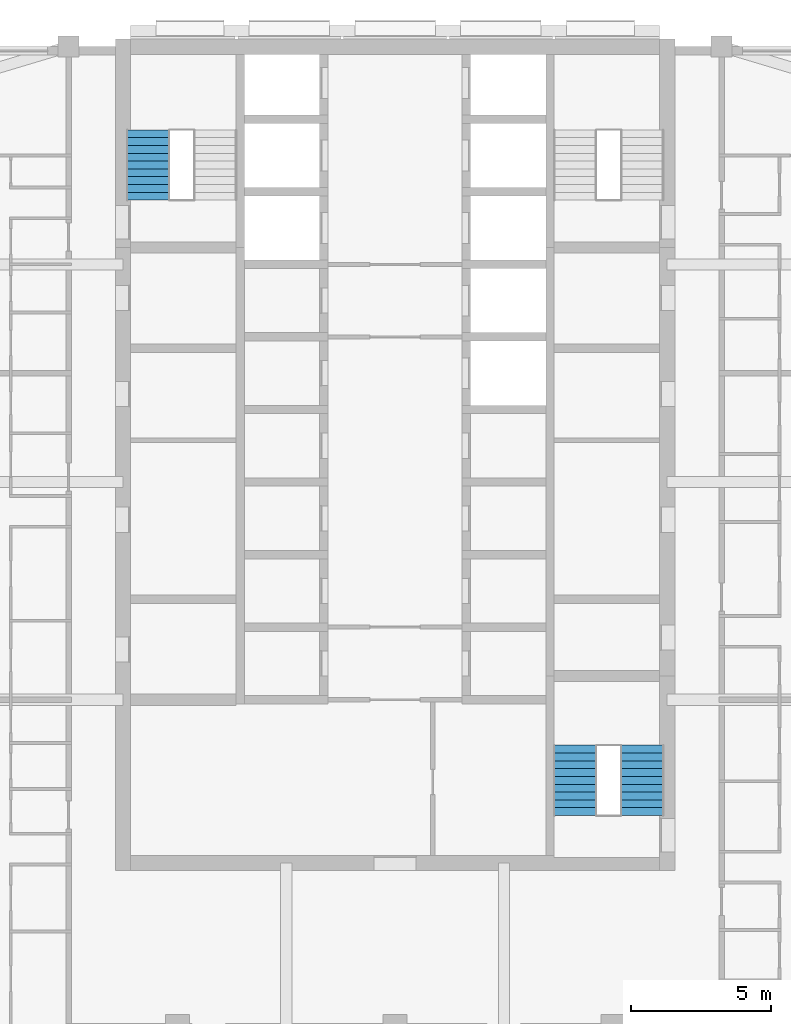
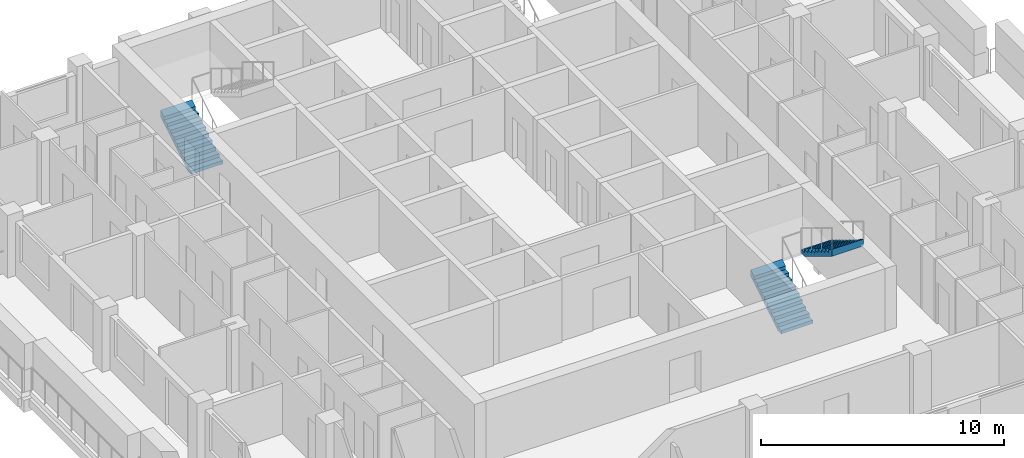
# One storey, part 10 of 13: 3 stair flights, 2 elements without a shape of their own.
"""IFC4 building model written with IfcOpenShell, lengths in metres."""

from ifc_helpers import new_model, si_unit, direction, frame, origin, place, context, subcontext, project, spatial, triangles, material, type_object, element, aggregate, save


model = new_model("IFC4")

# Units and contexts
model_context = context("Model", 3, precision=1e-05, world=origin(), true_north=direction((0.0, 1.0)))
body_context = subcontext(model_context, "Body", "Model", "MODEL_VIEW")
ifc_project = project(units=[si_unit("LENGTHUNIT", "METRE"), si_unit("AREAUNIT", "SQUARE_METRE"), si_unit("VOLUMEUNIT", "CUBIC_METRE"), si_unit("PLANEANGLEUNIT", "RADIAN"), si_unit("MASSUNIT", "GRAM", prefix="KILO")], contexts=[model_context])

# Site, building, storey
site_placement = place(None, origin())
site = spatial("IfcSite", under=ifc_project, at=site_placement, CompositionType="ELEMENT")
building_placement = place(site_placement, origin())
building = spatial("IfcBuilding", under=site, at=building_placement, Name="Ludao Terraces", CompositionType="ELEMENT")
storey_placement = place(building_placement, frame((0.0, 0.0, 165.60009765625)))
storey = spatial("IfcBuildingStorey", under=building, at=storey_placement, Name="L45", CompositionType="ELEMENT", Elevation=165.60009765625)

# Stair, stair flight
ifc_material = material(Name="Concrete C40", Category="concrete")
stair_type = type_object("IfcStairType", Name="INT Stair", PredefinedType="HALF_TURN_STAIR", material=ifc_material)
stair_1_placement = place(storey_placement, origin())
stair_1 = element("IfcStair", 1, at=stair_1_placement, inside=storey, type_object=stair_type, Name="EXIT STAIR 1", PredefinedType="HALF_TURN_STAIR")
stair_flight_type = type_object("IfcStairFlightType", Name="INT Stair flight", PredefinedType="STRAIGHT", material=ifc_material)
stair_flight_1_placement = place(storey_placement, frame((76.14990234375, 79.0, 0.0), z_axis=(0.0, 0.0, 1.0), x_axis=(0.0, 1.0, 0.0)))
stair_flight_1 = element("IfcStairFlight", 2, at=stair_flight_1_placement, type_object=stair_flight_type, Name="ST1 flight 1", NumberOfRisers=10, NumberOfTreads=9, PredefinedType="STRAIGHT", RiserHeight=0.17, TreadLength=0.28, context=body_context, shape_type="Tessellation", body=[
    triangles([(0.0, -0.75, 0.0), (0.0, -0.5, 0.0), (0.0, -0.25, 0.0), (0.0, 0.0, 0.0), (0.0, 0.25, 0.0), (0.0, 0.5, 0.0), (0.0, 0.75, 0.0), (0.0, -0.75, 0.169921875), (0.0, -0.5, 0.169921875), (0.0, -0.25, 0.169921875), (0.0, 0.0, 0.169921875), (0.0, 0.25, 0.169921875), (0.0, 0.5, 0.169921875), (0.0, 0.75, 0.169921875), (0.280029296875, -0.75, 0.169921875), (0.280029296875, -0.5, 0.169921875), (0.280029296875, -0.25, 0.169921875), (0.280029296875, 0.0, 0.169921875), (0.280029296875, 0.25, 0.169921875), (0.280029296875, 0.5, 0.169921875), (0.280029296875, 0.75, 0.169921875), (0.280029296875, -0.75, 0.340087890625), (0.280029296875, -0.5, 0.340087890625), (0.280029296875, -0.25, 0.340087890625), (0.280029296875, 0.0, 0.340087890625), (0.280029296875, 0.25, 0.340087890625), (0.280029296875, 0.5, 0.340087890625), (0.280029296875, 0.75, 0.340087890625), (0.56005859375, -0.75, 0.340087890625), (0.56005859375, -0.5, 0.340087890625), (0.56005859375, -0.25, 0.340087890625), (0.56005859375, 0.0, 0.340087890625), (0.56005859375, 0.25, 0.340087890625), (0.56005859375, 0.5, 0.340087890625), (0.56005859375, 0.75, 0.340087890625), (0.56005859375, -0.75, 0.510009765625), (0.56005859375, -0.5, 0.510009765625), (0.56005859375, -0.25, 0.510009765625), (0.56005859375, 0.0, 0.510009765625), (0.56005859375, 0.25, 0.510009765625), (0.56005859375, 0.5, 0.510009765625), (0.56005859375, 0.75, 0.510009765625), (0.840087890625, -0.75, 0.510009765625), (0.840087890625, -0.5, 0.510009765625), (0.840087890625, -0.25, 0.510009765625), (0.840087890625, 0.0, 0.510009765625), (0.840087890625, 0.25, 0.510009765625), (0.840087890625, 0.5, 0.510009765625), (0.840087890625, 0.75, 0.510009765625), (0.840087890625, -0.75, 0.679931640625), (0.840087890625, -0.5, 0.679931640625), (0.840087890625, -0.25, 0.679931640625), (0.840087890625, 0.0, 0.679931640625), (0.840087890625, 0.25, 0.679931640625), (0.840087890625, 0.5, 0.679931640625), (0.840087890625, 0.75, 0.679931640625), (1.1201171875, -0.75, 0.679931640625), (1.1201171875, -0.5, 0.679931640625), (1.1201171875, -0.25, 0.679931640625), (1.1201171875, 0.0, 0.679931640625), (1.1201171875, 0.25, 0.679931640625), (1.1201171875, 0.5, 0.679931640625), (1.1201171875, 0.75, 0.679931640625), (1.1201171875, -0.75, 0.85009765625), (1.1201171875, -0.5, 0.85009765625), (1.1201171875, -0.25, 0.85009765625), (1.1201171875, 0.0, 0.85009765625), (1.1201171875, 0.25, 0.85009765625), (1.1201171875, 0.5, 0.85009765625), (1.1201171875, 0.75, 0.85009765625), (1.39990234375, -0.75, 0.85009765625), (1.39990234375, -0.5, 0.85009765625), (1.39990234375, -0.25, 0.85009765625), (1.39990234375, 0.0, 0.85009765625), (1.39990234375, 0.25, 0.85009765625), (1.39990234375, 0.5, 0.85009765625), (1.39990234375, 0.75, 0.85009765625), (1.39990234375, -0.75, 1.02001953125), (1.39990234375, -0.5, 1.02001953125), (1.39990234375, -0.25, 1.02001953125), (1.39990234375, 0.0, 1.02001953125), (1.39990234375, 0.25, 1.02001953125), (1.39990234375, 0.5, 1.02001953125), (1.39990234375, 0.75, 1.02001953125), (1.679931640625, -0.75, 1.02001953125), (1.679931640625, -0.5, 1.02001953125), (1.679931640625, -0.25, 1.02001953125), (1.679931640625, 0.0, 1.02001953125), (1.679931640625, 0.25, 1.02001953125), (1.679931640625, 0.5, 1.02001953125), (1.679931640625, 0.75, 1.02001953125), (1.679931640625, -0.75, 1.18994140625), (1.679931640625, -0.5, 1.18994140625), (1.679931640625, -0.25, 1.18994140625), (1.679931640625, 0.0, 1.18994140625), (1.679931640625, 0.25, 1.18994140625), (1.679931640625, 0.5, 1.18994140625), (1.679931640625, 0.75, 1.18994140625), (1.9599609375, -0.75, 1.18994140625), (1.9599609375, -0.5, 1.18994140625), (1.9599609375, -0.25, 1.18994140625), (1.9599609375, 0.0, 1.18994140625), (1.9599609375, 0.25, 1.18994140625), (1.9599609375, 0.5, 1.18994140625), (1.9599609375, 0.75, 1.18994140625), (1.9599609375, -0.75, 1.360107421875), (1.9599609375, -0.5, 1.360107421875), (1.9599609375, -0.25, 1.360107421875), (1.9599609375, 0.0, 1.360107421875), (1.9599609375, 0.25, 1.360107421875), (1.9599609375, 0.5, 1.360107421875), (1.9599609375, 0.75, 1.360107421875), (2.239990234375, -0.75, 1.360107421875), (2.239990234375, -0.5, 1.360107421875), (2.239990234375, -0.25, 1.360107421875), (2.239990234375, 0.0, 1.360107421875), (2.239990234375, 0.25, 1.360107421875), (2.239990234375, 0.5, 1.360107421875), (2.239990234375, 0.75, 1.360107421875), (2.239990234375, -0.75, 1.530029296875), (2.239990234375, -0.5, 1.530029296875), (2.239990234375, -0.25, 1.530029296875), (2.239990234375, 0.0, 1.530029296875), (2.239990234375, 0.25, 1.530029296875), (2.239990234375, 0.5, 1.530029296875), (2.239990234375, 0.75, 1.530029296875), (2.52001953125, -0.75, 1.699951171875), (2.52001953125, -0.5, 1.699951171875), (2.52001953125, -0.25, 1.699951171875), (2.52001953125, 0.0, 1.699951171875), (2.52001953125, 0.25, 1.699951171875), (2.52001953125, 0.5, 1.699951171875), (2.52001953125, 0.75, 1.699951171875), (2.52001953125, -0.75, 1.354736328125), (2.52001953125, -0.5, 1.354736328125), (2.52001953125, -0.25, 1.354736328125), (2.52001953125, 0.0, 1.354736328125), (2.52001953125, 0.25, 1.354736328125), (2.52001953125, 0.5, 1.354736328125), (2.52001953125, 0.75, 1.354736328125), (0.288818359375, -0.75, 0.0), (0.288818359375, -0.5, 0.0), (0.288818359375, -0.25, 0.0), (0.288818359375, 0.0, 0.0), (0.288818359375, 0.25, 0.0), (0.288818359375, 0.5, 0.0), (0.288818359375, 0.75, 0.0)], [[1, 141, 134], [7, 140, 147], [134, 127, 120], [140, 126, 133], [134, 120, 113], [140, 119, 126], [134, 113, 106], [140, 112, 119], [134, 106, 99], [140, 105, 112], [99, 92, 85], [105, 91, 98], [134, 99, 85], [140, 91, 105], [85, 78, 71], [91, 77, 84], [134, 85, 71], [140, 77, 91], [71, 64, 57], [77, 63, 70], [134, 71, 57], [140, 63, 77], [57, 50, 43], [63, 49, 56], [134, 57, 43], [140, 49, 63], [43, 36, 29], [49, 35, 42], [134, 43, 29], [140, 35, 49], [29, 22, 15], [35, 21, 28], [134, 29, 15], [140, 21, 35], [1, 134, 15], [7, 21, 140], [15, 8, 1], [21, 7, 14], [1, 9, 2], [1, 8, 9], [2, 10, 3], [2, 9, 10], [3, 11, 4], [3, 10, 11], [4, 12, 5], [4, 11, 12], [5, 13, 6], [5, 12, 13], [6, 14, 7], [6, 13, 14], [8, 16, 9], [8, 15, 16], [9, 17, 10], [9, 16, 17], [10, 18, 11], [10, 17, 18], [11, 19, 12], [11, 18, 19], [12, 20, 13], [12, 19, 20], [13, 21, 14], [13, 20, 21], [15, 23, 16], [15, 22, 23], [16, 24, 17], [16, 23, 24], [17, 25, 18], [17, 24, 25], [18, 26, 19], [18, 25, 26], [19, 27, 20], [19, 26, 27], [20, 28, 21], [20, 27, 28], [22, 30, 23], [22, 29, 30], [23, 31, 24], [23, 30, 31], [24, 32, 25], [24, 31, 32], [25, 33, 26], [25, 32, 33], [26, 34, 27], [26, 33, 34], [27, 35, 28], [27, 34, 35], [29, 37, 30], [29, 36, 37], [30, 38, 31], [30, 37, 38], [31, 39, 32], [31, 38, 39], [32, 40, 33], [32, 39, 40], [33, 41, 34], [33, 40, 41], [34, 42, 35], [34, 41, 42], [36, 44, 37], [36, 43, 44], [37, 45, 38], [37, 44, 45], [38, 46, 39], [38, 45, 46], [39, 47, 40], [39, 46, 47], [40, 48, 41], [40, 47, 48], [41, 49, 42], [41, 48, 49], [43, 51, 44], [43, 50, 51], [44, 52, 45], [44, 51, 52], [45, 53, 46], [45, 52, 53], [46, 54, 47], [46, 53, 54], [47, 55, 48], [47, 54, 55], [48, 56, 49], [48, 55, 56], [50, 58, 51], [50, 57, 58], [51, 59, 52], [51, 58, 59], [52, 60, 53], [52, 59, 60], [53, 61, 54], [53, 60, 61], [54, 62, 55], [54, 61, 62], [55, 63, 56], [55, 62, 63], [57, 65, 58], [57, 64, 65], [58, 66, 59], [58, 65, 66], [59, 67, 60], [59, 66, 67], [60, 68, 61], [60, 67, 68], [61, 69, 62], [61, 68, 69], [62, 70, 63], [62, 69, 70], [64, 72, 65], [64, 71, 72], [65, 73, 66], [65, 72, 73], [66, 74, 67], [66, 73, 74], [67, 75, 68], [67, 74, 75], [68, 76, 69], [68, 75, 76], [69, 77, 70], [69, 76, 77], [71, 79, 72], [71, 78, 79], [72, 80, 73], [72, 79, 80], [73, 81, 74], [73, 80, 81], [74, 82, 75], [74, 81, 82], [75, 83, 76], [75, 82, 83], [76, 84, 77], [76, 83, 84], [78, 86, 79], [78, 85, 86], [79, 87, 80], [79, 86, 87], [80, 88, 81], [80, 87, 88], [81, 89, 82], [81, 88, 89], [82, 90, 83], [82, 89, 90], [83, 91, 84], [83, 90, 91], [85, 93, 86], [85, 92, 93], [86, 94, 87], [86, 93, 94], [87, 95, 88], [87, 94, 95], [88, 96, 89], [88, 95, 96], [89, 97, 90], [89, 96, 97], [90, 98, 91], [90, 97, 98], [92, 100, 93], [92, 99, 100], [93, 101, 94], [93, 100, 101], [94, 102, 95], [94, 101, 102], [95, 103, 96], [95, 102, 103], [96, 104, 97], [96, 103, 104], [97, 105, 98], [97, 104, 105], [99, 107, 100], [99, 106, 107], [100, 108, 101], [100, 107, 108], [101, 109, 102], [101, 108, 109], [102, 110, 103], [102, 109, 110], [103, 111, 104], [103, 110, 111], [104, 112, 105], [104, 111, 112], [106, 114, 107], [106, 113, 114], [107, 115, 108], [107, 114, 115], [108, 116, 109], [108, 115, 116], [109, 117, 110], [109, 116, 117], [110, 118, 111], [110, 117, 118], [111, 119, 112], [111, 118, 119], [113, 121, 114], [113, 120, 121], [114, 122, 115], [114, 121, 122], [115, 123, 116], [115, 122, 123], [116, 124, 117], [116, 123, 124], [117, 125, 118], [117, 124, 125], [118, 126, 119], [118, 125, 126], [120, 128, 121], [120, 127, 128], [121, 129, 122], [121, 128, 129], [122, 130, 123], [122, 129, 130], [123, 131, 124], [123, 130, 131], [124, 132, 125], [124, 131, 132], [125, 133, 126], [125, 132, 133], [127, 135, 128], [127, 134, 135], [128, 136, 129], [128, 135, 136], [129, 137, 130], [129, 136, 137], [130, 138, 131], [130, 137, 138], [131, 139, 132], [131, 138, 139], [132, 140, 133], [132, 139, 140], [134, 142, 135], [134, 141, 142], [135, 143, 136], [135, 142, 143], [136, 144, 137], [136, 143, 144], [137, 145, 138], [137, 144, 145], [138, 146, 139], [138, 145, 146], [139, 147, 140], [139, 146, 147], [141, 2, 142], [141, 1, 2], [142, 3, 143], [142, 2, 3], [143, 4, 144], [143, 3, 4], [144, 5, 145], [144, 4, 5], [145, 6, 146], [145, 5, 6], [146, 7, 147], [146, 6, 7]], closed=True),
])
aggregate(stair_1, [stair_flight_1])

# Stair, stair flights
stair_2_placement = place(storey_placement, origin())
stair_2 = element("IfcStair", 3, at=stair_2_placement, inside=storey, type_object=stair_type, Name="EXIT STAIR 3", PredefinedType="HALF_TURN_STAIR")
stair_flight_2_placement = place(storey_placement, frame((91.449951171875, 56.949951171875, 0.0), z_axis=(0.0, 0.0, 1.0), x_axis=(0.0, 1.0, 0.0)))
stair_flight_2 = element("IfcStairFlight", 4, at=stair_flight_2_placement, type_object=stair_flight_type, Name="ST3 flight 1", NumberOfRisers=10, NumberOfTreads=9, PredefinedType="STRAIGHT", RiserHeight=0.17, TreadLength=0.28, context=body_context, shape_type="Tessellation", body=[
    triangles([(0.0, -0.75, 0.0), (0.0, -0.5, 0.0), (0.0, -0.25, 0.0), (0.0, 0.0, 0.0), (0.0, 0.25, 0.0), (0.0, 0.5, 0.0), (0.0, 0.75, 0.0), (0.0, -0.75, 0.169921875), (0.0, -0.5, 0.169921875), (0.0, -0.25, 0.169921875), (0.0, 0.0, 0.169921875), (0.0, 0.25, 0.169921875), (0.0, 0.5, 0.169921875), (0.0, 0.75, 0.169921875), (0.280029296875, -0.75, 0.169921875), (0.280029296875, -0.5, 0.169921875), (0.280029296875, -0.25, 0.169921875), (0.280029296875, 0.0, 0.169921875), (0.280029296875, 0.25, 0.169921875), (0.280029296875, 0.5, 0.169921875), (0.280029296875, 0.75, 0.169921875), (0.280029296875, -0.75, 0.340087890625), (0.280029296875, -0.5, 0.340087890625), (0.280029296875, -0.25, 0.340087890625), (0.280029296875, 0.0, 0.340087890625), (0.280029296875, 0.25, 0.340087890625), (0.280029296875, 0.5, 0.340087890625), (0.280029296875, 0.75, 0.340087890625), (0.56005859375, -0.75, 0.340087890625), (0.56005859375, -0.5, 0.340087890625), (0.56005859375, -0.25, 0.340087890625), (0.56005859375, 0.0, 0.340087890625), (0.56005859375, 0.25, 0.340087890625), (0.56005859375, 0.5, 0.340087890625), (0.56005859375, 0.75, 0.340087890625), (0.56005859375, -0.75, 0.510009765625), (0.56005859375, -0.5, 0.510009765625), (0.56005859375, -0.25, 0.510009765625), (0.56005859375, 0.0, 0.510009765625), (0.56005859375, 0.25, 0.510009765625), (0.56005859375, 0.5, 0.510009765625), (0.56005859375, 0.75, 0.510009765625), (0.840087890625, -0.75, 0.510009765625), (0.840087890625, -0.5, 0.510009765625), (0.840087890625, -0.25, 0.510009765625), (0.840087890625, 0.0, 0.510009765625), (0.840087890625, 0.25, 0.510009765625), (0.840087890625, 0.5, 0.510009765625), (0.840087890625, 0.75, 0.510009765625), (0.840087890625, -0.75, 0.679931640625), (0.840087890625, -0.5, 0.679931640625), (0.840087890625, -0.25, 0.679931640625), (0.840087890625, 0.0, 0.679931640625), (0.840087890625, 0.25, 0.679931640625), (0.840087890625, 0.5, 0.679931640625), (0.840087890625, 0.75, 0.679931640625), (1.1201171875, -0.75, 0.679931640625), (1.1201171875, -0.5, 0.679931640625), (1.1201171875, -0.25, 0.679931640625), (1.1201171875, 0.0, 0.679931640625), (1.1201171875, 0.25, 0.679931640625), (1.1201171875, 0.5, 0.679931640625), (1.1201171875, 0.75, 0.679931640625), (1.1201171875, -0.75, 0.85009765625), (1.1201171875, -0.5, 0.85009765625), (1.1201171875, -0.25, 0.85009765625), (1.1201171875, 0.0, 0.85009765625), (1.1201171875, 0.25, 0.85009765625), (1.1201171875, 0.5, 0.85009765625), (1.1201171875, 0.75, 0.85009765625), (1.39990234375, -0.75, 0.85009765625), (1.39990234375, -0.5, 0.85009765625), (1.39990234375, -0.25, 0.85009765625), (1.39990234375, 0.0, 0.85009765625), (1.39990234375, 0.25, 0.85009765625), (1.39990234375, 0.5, 0.85009765625), (1.39990234375, 0.75, 0.85009765625), (1.39990234375, -0.75, 1.02001953125), (1.39990234375, -0.5, 1.02001953125), (1.39990234375, -0.25, 1.02001953125), (1.39990234375, 0.0, 1.02001953125), (1.39990234375, 0.25, 1.02001953125), (1.39990234375, 0.5, 1.02001953125), (1.39990234375, 0.75, 1.02001953125), (1.679931640625, -0.75, 1.02001953125), (1.679931640625, -0.5, 1.02001953125), (1.679931640625, -0.25, 1.02001953125), (1.679931640625, 0.0, 1.02001953125), (1.679931640625, 0.25, 1.02001953125), (1.679931640625, 0.5, 1.02001953125), (1.679931640625, 0.75, 1.02001953125), (1.679931640625, -0.75, 1.18994140625), (1.679931640625, -0.5, 1.18994140625), (1.679931640625, -0.25, 1.18994140625), (1.679931640625, 0.0, 1.18994140625), (1.679931640625, 0.25, 1.18994140625), (1.679931640625, 0.5, 1.18994140625), (1.679931640625, 0.75, 1.18994140625), (1.9599609375, -0.75, 1.18994140625), (1.9599609375, -0.5, 1.18994140625), (1.9599609375, -0.25, 1.18994140625), (1.9599609375, 0.0, 1.18994140625), (1.9599609375, 0.25, 1.18994140625), (1.9599609375, 0.5, 1.18994140625), (1.9599609375, 0.75, 1.18994140625), (1.9599609375, -0.75, 1.360107421875), (1.9599609375, -0.5, 1.360107421875), (1.9599609375, -0.25, 1.360107421875), (1.9599609375, 0.0, 1.360107421875), (1.9599609375, 0.25, 1.360107421875), (1.9599609375, 0.5, 1.360107421875), (1.9599609375, 0.75, 1.360107421875), (2.239990234375, -0.75, 1.360107421875), (2.239990234375, -0.5, 1.360107421875), (2.239990234375, -0.25, 1.360107421875), (2.239990234375, 0.0, 1.360107421875), (2.239990234375, 0.25, 1.360107421875), (2.239990234375, 0.5, 1.360107421875), (2.239990234375, 0.75, 1.360107421875), (2.239990234375, -0.75, 1.530029296875), (2.239990234375, -0.5, 1.530029296875), (2.239990234375, -0.25, 1.530029296875), (2.239990234375, 0.0, 1.530029296875), (2.239990234375, 0.25, 1.530029296875), (2.239990234375, 0.5, 1.530029296875), (2.239990234375, 0.75, 1.530029296875), (2.52001953125, -0.75, 1.699951171875), (2.52001953125, -0.5, 1.699951171875), (2.52001953125, -0.25, 1.699951171875), (2.52001953125, 0.0, 1.699951171875), (2.52001953125, 0.25, 1.699951171875), (2.52001953125, 0.5, 1.699951171875), (2.52001953125, 0.75, 1.699951171875), (2.52001953125, -0.75, 1.354736328125), (2.52001953125, -0.5, 1.354736328125), (2.52001953125, -0.25, 1.354736328125), (2.52001953125, 0.0, 1.354736328125), (2.52001953125, 0.25, 1.354736328125), (2.52001953125, 0.5, 1.354736328125), (2.52001953125, 0.75, 1.354736328125), (0.288818359375, -0.75, 0.0), (0.288818359375, -0.5, 0.0), (0.288818359375, -0.25, 0.0), (0.288818359375, 0.0, 0.0), (0.288818359375, 0.25, 0.0), (0.288818359375, 0.5, 0.0), (0.288818359375, 0.75, 0.0)], [[1, 141, 134], [7, 140, 147], [134, 127, 120], [140, 126, 133], [134, 120, 113], [140, 119, 126], [134, 113, 106], [140, 112, 119], [134, 106, 99], [140, 105, 112], [99, 92, 85], [105, 91, 98], [134, 99, 85], [140, 91, 105], [85, 78, 71], [91, 77, 84], [134, 85, 71], [140, 77, 91], [71, 64, 57], [77, 63, 70], [134, 71, 57], [140, 63, 77], [57, 50, 43], [63, 49, 56], [134, 57, 43], [140, 49, 63], [43, 36, 29], [49, 35, 42], [134, 43, 29], [140, 35, 49], [29, 22, 15], [35, 21, 28], [134, 29, 15], [140, 21, 35], [1, 134, 15], [7, 21, 140], [15, 8, 1], [21, 7, 14], [1, 9, 2], [1, 8, 9], [2, 10, 3], [2, 9, 10], [3, 11, 4], [3, 10, 11], [4, 12, 5], [4, 11, 12], [5, 13, 6], [5, 12, 13], [6, 14, 7], [6, 13, 14], [8, 16, 9], [8, 15, 16], [9, 17, 10], [9, 16, 17], [10, 18, 11], [10, 17, 18], [11, 19, 12], [11, 18, 19], [12, 20, 13], [12, 19, 20], [13, 21, 14], [13, 20, 21], [15, 23, 16], [15, 22, 23], [16, 24, 17], [16, 23, 24], [17, 25, 18], [17, 24, 25], [18, 26, 19], [18, 25, 26], [19, 27, 20], [19, 26, 27], [20, 28, 21], [20, 27, 28], [22, 30, 23], [22, 29, 30], [23, 31, 24], [23, 30, 31], [24, 32, 25], [24, 31, 32], [25, 33, 26], [25, 32, 33], [26, 34, 27], [26, 33, 34], [27, 35, 28], [27, 34, 35], [29, 37, 30], [29, 36, 37], [30, 38, 31], [30, 37, 38], [31, 39, 32], [31, 38, 39], [32, 40, 33], [32, 39, 40], [33, 41, 34], [33, 40, 41], [34, 42, 35], [34, 41, 42], [36, 44, 37], [36, 43, 44], [37, 45, 38], [37, 44, 45], [38, 46, 39], [38, 45, 46], [39, 47, 40], [39, 46, 47], [40, 48, 41], [40, 47, 48], [41, 49, 42], [41, 48, 49], [43, 51, 44], [43, 50, 51], [44, 52, 45], [44, 51, 52], [45, 53, 46], [45, 52, 53], [46, 54, 47], [46, 53, 54], [47, 55, 48], [47, 54, 55], [48, 56, 49], [48, 55, 56], [50, 58, 51], [50, 57, 58], [51, 59, 52], [51, 58, 59], [52, 60, 53], [52, 59, 60], [53, 61, 54], [53, 60, 61], [54, 62, 55], [54, 61, 62], [55, 63, 56], [55, 62, 63], [57, 65, 58], [57, 64, 65], [58, 66, 59], [58, 65, 66], [59, 67, 60], [59, 66, 67], [60, 68, 61], [60, 67, 68], [61, 69, 62], [61, 68, 69], [62, 70, 63], [62, 69, 70], [64, 72, 65], [64, 71, 72], [65, 73, 66], [65, 72, 73], [66, 74, 67], [66, 73, 74], [67, 75, 68], [67, 74, 75], [68, 76, 69], [68, 75, 76], [69, 77, 70], [69, 76, 77], [71, 79, 72], [71, 78, 79], [72, 80, 73], [72, 79, 80], [73, 81, 74], [73, 80, 81], [74, 82, 75], [74, 81, 82], [75, 83, 76], [75, 82, 83], [76, 84, 77], [76, 83, 84], [78, 86, 79], [78, 85, 86], [79, 87, 80], [79, 86, 87], [80, 88, 81], [80, 87, 88], [81, 89, 82], [81, 88, 89], [82, 90, 83], [82, 89, 90], [83, 91, 84], [83, 90, 91], [85, 93, 86], [85, 92, 93], [86, 94, 87], [86, 93, 94], [87, 95, 88], [87, 94, 95], [88, 96, 89], [88, 95, 96], [89, 97, 90], [89, 96, 97], [90, 98, 91], [90, 97, 98], [92, 100, 93], [92, 99, 100], [93, 101, 94], [93, 100, 101], [94, 102, 95], [94, 101, 102], [95, 103, 96], [95, 102, 103], [96, 104, 97], [96, 103, 104], [97, 105, 98], [97, 104, 105], [99, 107, 100], [99, 106, 107], [100, 108, 101], [100, 107, 108], [101, 109, 102], [101, 108, 109], [102, 110, 103], [102, 109, 110], [103, 111, 104], [103, 110, 111], [104, 112, 105], [104, 111, 112], [106, 114, 107], [106, 113, 114], [107, 115, 108], [107, 114, 115], [108, 116, 109], [108, 115, 116], [109, 117, 110], [109, 116, 117], [110, 118, 111], [110, 117, 118], [111, 119, 112], [111, 118, 119], [113, 121, 114], [113, 120, 121], [114, 122, 115], [114, 121, 122], [115, 123, 116], [115, 122, 123], [116, 124, 117], [116, 123, 124], [117, 125, 118], [117, 124, 125], [118, 126, 119], [118, 125, 126], [120, 128, 121], [120, 127, 128], [121, 129, 122], [121, 128, 129], [122, 130, 123], [122, 129, 130], [123, 131, 124], [123, 130, 131], [124, 132, 125], [124, 131, 132], [125, 133, 126], [125, 132, 133], [127, 135, 128], [127, 134, 135], [128, 136, 129], [128, 135, 136], [129, 137, 130], [129, 136, 137], [130, 138, 131], [130, 137, 138], [131, 139, 132], [131, 138, 139], [132, 140, 133], [132, 139, 140], [134, 142, 135], [134, 141, 142], [135, 143, 136], [135, 142, 143], [136, 144, 137], [136, 143, 144], [137, 145, 138], [137, 144, 145], [138, 146, 139], [138, 145, 146], [139, 147, 140], [139, 146, 147], [141, 2, 142], [141, 1, 2], [142, 3, 143], [142, 2, 3], [143, 4, 144], [143, 3, 4], [144, 5, 145], [144, 4, 5], [145, 6, 146], [145, 5, 6], [146, 7, 147], [146, 6, 7]], closed=True),
])
stair_flight_3_placement = place(storey_placement, frame((93.85009765625, 59.469970703125, 1.699951171875), z_axis=(0.0, 0.0, 1.0), x_axis=(0.0, -1.0, 0.0)))
stair_flight_3 = element("IfcStairFlight", 5, at=stair_flight_3_placement, type_object=stair_flight_type, Name="ST3 flight 2", NumberOfRisers=10, NumberOfTreads=9, PredefinedType="STRAIGHT", RiserHeight=0.17, TreadLength=0.28, context=body_context, shape_type="Tessellation", body=[
    triangles([(0.0, -0.75, 0.0), (0.0, -0.5, 0.0), (0.0, -0.25, 0.0), (0.0, 0.0, 0.0), (0.0, 0.25, 0.0), (0.0, 0.5, 0.0), (0.0, 0.75, 0.0), (0.0, -0.75, 0.169921875), (0.0, -0.5, 0.169921875), (0.0, -0.25, 0.169921875), (0.0, 0.0, 0.169921875), (0.0, 0.25, 0.169921875), (0.0, 0.5, 0.169921875), (0.0, 0.75, 0.169921875), (0.280029296875, -0.75, 0.169921875), (0.280029296875, -0.5, 0.169921875), (0.280029296875, -0.25, 0.169921875), (0.280029296875, 0.0, 0.169921875), (0.280029296875, 0.25, 0.169921875), (0.280029296875, 0.5, 0.169921875), (0.280029296875, 0.75, 0.169921875), (0.280029296875, -0.75, 0.340087890625), (0.280029296875, -0.5, 0.340087890625), (0.280029296875, -0.25, 0.340087890625), (0.280029296875, 0.0, 0.340087890625), (0.280029296875, 0.25, 0.340087890625), (0.280029296875, 0.5, 0.340087890625), (0.280029296875, 0.75, 0.340087890625), (0.56005859375, -0.75, 0.340087890625), (0.56005859375, -0.5, 0.340087890625), (0.56005859375, -0.25, 0.340087890625), (0.56005859375, 0.0, 0.340087890625), (0.56005859375, 0.25, 0.340087890625), (0.56005859375, 0.5, 0.340087890625), (0.56005859375, 0.75, 0.340087890625), (0.56005859375, -0.75, 0.510009765625), (0.56005859375, -0.5, 0.510009765625), (0.56005859375, -0.25, 0.510009765625), (0.56005859375, 0.0, 0.510009765625), (0.56005859375, 0.25, 0.510009765625), (0.56005859375, 0.5, 0.510009765625), (0.56005859375, 0.75, 0.510009765625), (0.840087890625, -0.75, 0.510009765625), (0.840087890625, -0.5, 0.510009765625), (0.840087890625, -0.25, 0.510009765625), (0.840087890625, 0.0, 0.510009765625), (0.840087890625, 0.25, 0.510009765625), (0.840087890625, 0.5, 0.510009765625), (0.840087890625, 0.75, 0.510009765625), (0.840087890625, -0.75, 0.679931640625), (0.840087890625, -0.5, 0.679931640625), (0.840087890625, -0.25, 0.679931640625), (0.840087890625, 0.0, 0.679931640625), (0.840087890625, 0.25, 0.679931640625), (0.840087890625, 0.5, 0.679931640625), (0.840087890625, 0.75, 0.679931640625), (1.1201171875, -0.75, 0.679931640625), (1.1201171875, -0.5, 0.679931640625), (1.1201171875, -0.25, 0.679931640625), (1.1201171875, 0.0, 0.679931640625), (1.1201171875, 0.25, 0.679931640625), (1.1201171875, 0.5, 0.679931640625), (1.1201171875, 0.75, 0.679931640625), (1.1201171875, -0.75, 0.85009765625), (1.1201171875, -0.5, 0.85009765625), (1.1201171875, -0.25, 0.85009765625), (1.1201171875, 0.0, 0.85009765625), (1.1201171875, 0.25, 0.85009765625), (1.1201171875, 0.5, 0.85009765625), (1.1201171875, 0.75, 0.85009765625), (1.39990234375, -0.75, 0.85009765625), (1.39990234375, -0.5, 0.85009765625), (1.39990234375, -0.25, 0.85009765625), (1.39990234375, 0.0, 0.85009765625), (1.39990234375, 0.25, 0.85009765625), (1.39990234375, 0.5, 0.85009765625), (1.39990234375, 0.75, 0.85009765625), (1.39990234375, -0.75, 1.02001953125), (1.39990234375, -0.5, 1.02001953125), (1.39990234375, -0.25, 1.02001953125), (1.39990234375, 0.0, 1.02001953125), (1.39990234375, 0.25, 1.02001953125), (1.39990234375, 0.5, 1.02001953125), (1.39990234375, 0.75, 1.02001953125), (1.679931640625, -0.75, 1.02001953125), (1.679931640625, -0.5, 1.02001953125), (1.679931640625, -0.25, 1.02001953125), (1.679931640625, 0.0, 1.02001953125), (1.679931640625, 0.25, 1.02001953125), (1.679931640625, 0.5, 1.02001953125), (1.679931640625, 0.75, 1.02001953125), (1.679931640625, -0.75, 1.18994140625), (1.679931640625, -0.5, 1.18994140625), (1.679931640625, -0.25, 1.18994140625), (1.679931640625, 0.0, 1.18994140625), (1.679931640625, 0.25, 1.18994140625), (1.679931640625, 0.5, 1.18994140625), (1.679931640625, 0.75, 1.18994140625), (1.9599609375, -0.75, 1.18994140625), (1.9599609375, -0.5, 1.18994140625), (1.9599609375, -0.25, 1.18994140625), (1.9599609375, 0.0, 1.18994140625), (1.9599609375, 0.25, 1.18994140625), (1.9599609375, 0.5, 1.18994140625), (1.9599609375, 0.75, 1.18994140625), (1.9599609375, -0.75, 1.360107421875), (1.9599609375, -0.5, 1.360107421875), (1.9599609375, -0.25, 1.360107421875), (1.9599609375, 0.0, 1.360107421875), (1.9599609375, 0.25, 1.360107421875), (1.9599609375, 0.5, 1.360107421875), (1.9599609375, 0.75, 1.360107421875), (2.239990234375, -0.75, 1.360107421875), (2.239990234375, -0.5, 1.360107421875), (2.239990234375, -0.25, 1.360107421875), (2.239990234375, 0.0, 1.360107421875), (2.239990234375, 0.25, 1.360107421875), (2.239990234375, 0.5, 1.360107421875), (2.239990234375, 0.75, 1.360107421875), (2.239990234375, -0.75, 1.530029296875), (2.239990234375, -0.5, 1.530029296875), (2.239990234375, -0.25, 1.530029296875), (2.239990234375, 0.0, 1.530029296875), (2.239990234375, 0.25, 1.530029296875), (2.239990234375, 0.5, 1.530029296875), (2.239990234375, 0.75, 1.530029296875), (2.52001953125, -0.75, 1.699951171875), (2.52001953125, -0.5, 1.699951171875), (2.52001953125, -0.25, 1.699951171875), (2.52001953125, 0.0, 1.699951171875), (2.52001953125, 0.25, 1.699951171875), (2.52001953125, 0.5, 1.699951171875), (2.52001953125, 0.75, 1.699951171875), (2.52001953125, -0.75, 1.354736328125), (2.52001953125, -0.5, 1.354736328125), (2.52001953125, -0.25, 1.354736328125), (2.52001953125, 0.0, 1.354736328125), (2.52001953125, 0.25, 1.354736328125), (2.52001953125, 0.5, 1.354736328125), (2.52001953125, 0.75, 1.354736328125), (0.288818359375, -0.75, 0.0), (0.288818359375, -0.5, 0.0), (0.288818359375, -0.25, 0.0), (0.288818359375, 0.0, 0.0), (0.288818359375, 0.25, 0.0), (0.288818359375, 0.5, 0.0), (0.288818359375, 0.75, 0.0)], [[1, 141, 134], [7, 140, 147], [134, 127, 120], [140, 126, 133], [134, 120, 113], [140, 119, 126], [134, 113, 106], [140, 112, 119], [134, 106, 99], [140, 105, 112], [99, 92, 85], [105, 91, 98], [134, 99, 85], [140, 91, 105], [85, 78, 71], [91, 77, 84], [134, 85, 71], [140, 77, 91], [71, 64, 57], [77, 63, 70], [134, 71, 57], [140, 63, 77], [57, 50, 43], [63, 49, 56], [134, 57, 43], [140, 49, 63], [43, 36, 29], [49, 35, 42], [134, 43, 29], [140, 35, 49], [29, 22, 15], [35, 21, 28], [134, 29, 15], [140, 21, 35], [1, 134, 15], [7, 21, 140], [15, 8, 1], [21, 7, 14], [1, 9, 2], [1, 8, 9], [2, 10, 3], [2, 9, 10], [3, 11, 4], [3, 10, 11], [4, 12, 5], [4, 11, 12], [5, 13, 6], [5, 12, 13], [6, 14, 7], [6, 13, 14], [8, 16, 9], [8, 15, 16], [9, 17, 10], [9, 16, 17], [10, 18, 11], [10, 17, 18], [11, 19, 12], [11, 18, 19], [12, 20, 13], [12, 19, 20], [13, 21, 14], [13, 20, 21], [15, 23, 16], [15, 22, 23], [16, 24, 17], [16, 23, 24], [17, 25, 18], [17, 24, 25], [18, 26, 19], [18, 25, 26], [19, 27, 20], [19, 26, 27], [20, 28, 21], [20, 27, 28], [22, 30, 23], [22, 29, 30], [23, 31, 24], [23, 30, 31], [24, 32, 25], [24, 31, 32], [25, 33, 26], [25, 32, 33], [26, 34, 27], [26, 33, 34], [27, 35, 28], [27, 34, 35], [29, 37, 30], [29, 36, 37], [30, 38, 31], [30, 37, 38], [31, 39, 32], [31, 38, 39], [32, 40, 33], [32, 39, 40], [33, 41, 34], [33, 40, 41], [34, 42, 35], [34, 41, 42], [36, 44, 37], [36, 43, 44], [37, 45, 38], [37, 44, 45], [38, 46, 39], [38, 45, 46], [39, 47, 40], [39, 46, 47], [40, 48, 41], [40, 47, 48], [41, 49, 42], [41, 48, 49], [43, 51, 44], [43, 50, 51], [44, 52, 45], [44, 51, 52], [45, 53, 46], [45, 52, 53], [46, 54, 47], [46, 53, 54], [47, 55, 48], [47, 54, 55], [48, 56, 49], [48, 55, 56], [50, 58, 51], [50, 57, 58], [51, 59, 52], [51, 58, 59], [52, 60, 53], [52, 59, 60], [53, 61, 54], [53, 60, 61], [54, 62, 55], [54, 61, 62], [55, 63, 56], [55, 62, 63], [57, 65, 58], [57, 64, 65], [58, 66, 59], [58, 65, 66], [59, 67, 60], [59, 66, 67], [60, 68, 61], [60, 67, 68], [61, 69, 62], [61, 68, 69], [62, 70, 63], [62, 69, 70], [64, 72, 65], [64, 71, 72], [65, 73, 66], [65, 72, 73], [66, 74, 67], [66, 73, 74], [67, 75, 68], [67, 74, 75], [68, 76, 69], [68, 75, 76], [69, 77, 70], [69, 76, 77], [71, 79, 72], [71, 78, 79], [72, 80, 73], [72, 79, 80], [73, 81, 74], [73, 80, 81], [74, 82, 75], [74, 81, 82], [75, 83, 76], [75, 82, 83], [76, 84, 77], [76, 83, 84], [78, 86, 79], [78, 85, 86], [79, 87, 80], [79, 86, 87], [80, 88, 81], [80, 87, 88], [81, 89, 82], [81, 88, 89], [82, 90, 83], [82, 89, 90], [83, 91, 84], [83, 90, 91], [85, 93, 86], [85, 92, 93], [86, 94, 87], [86, 93, 94], [87, 95, 88], [87, 94, 95], [88, 96, 89], [88, 95, 96], [89, 97, 90], [89, 96, 97], [90, 98, 91], [90, 97, 98], [92, 100, 93], [92, 99, 100], [93, 101, 94], [93, 100, 101], [94, 102, 95], [94, 101, 102], [95, 103, 96], [95, 102, 103], [96, 104, 97], [96, 103, 104], [97, 105, 98], [97, 104, 105], [99, 107, 100], [99, 106, 107], [100, 108, 101], [100, 107, 108], [101, 109, 102], [101, 108, 109], [102, 110, 103], [102, 109, 110], [103, 111, 104], [103, 110, 111], [104, 112, 105], [104, 111, 112], [106, 114, 107], [106, 113, 114], [107, 115, 108], [107, 114, 115], [108, 116, 109], [108, 115, 116], [109, 117, 110], [109, 116, 117], [110, 118, 111], [110, 117, 118], [111, 119, 112], [111, 118, 119], [113, 121, 114], [113, 120, 121], [114, 122, 115], [114, 121, 122], [115, 123, 116], [115, 122, 123], [116, 124, 117], [116, 123, 124], [117, 125, 118], [117, 124, 125], [118, 126, 119], [118, 125, 126], [120, 128, 121], [120, 127, 128], [121, 129, 122], [121, 128, 129], [122, 130, 123], [122, 129, 130], [123, 131, 124], [123, 130, 131], [124, 132, 125], [124, 131, 132], [125, 133, 126], [125, 132, 133], [127, 135, 128], [127, 134, 135], [128, 136, 129], [128, 135, 136], [129, 137, 130], [129, 136, 137], [130, 138, 131], [130, 137, 138], [131, 139, 132], [131, 138, 139], [132, 140, 133], [132, 139, 140], [134, 142, 135], [134, 141, 142], [135, 143, 136], [135, 142, 143], [136, 144, 137], [136, 143, 144], [137, 145, 138], [137, 144, 145], [138, 146, 139], [138, 145, 146], [139, 147, 140], [139, 146, 147], [141, 2, 142], [141, 1, 2], [142, 3, 143], [142, 2, 3], [143, 4, 144], [143, 3, 4], [144, 5, 145], [144, 4, 5], [145, 6, 146], [145, 5, 6], [146, 7, 147], [146, 6, 7]], closed=True),
])
aggregate(stair_2, [stair_flight_2, stair_flight_3])

save(model, "model.ifc")
